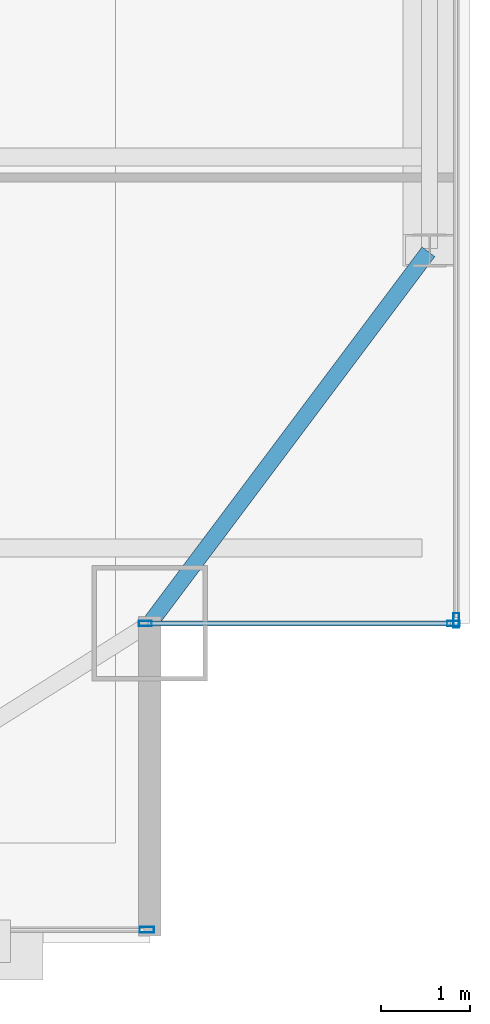
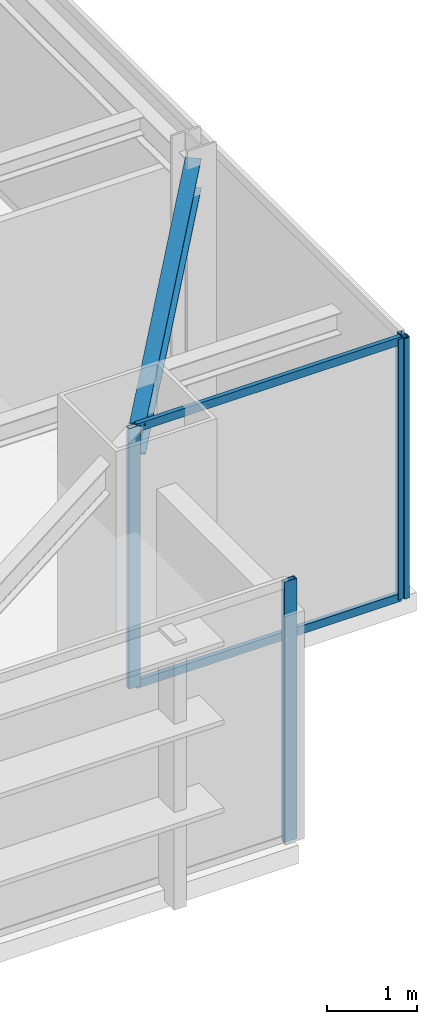
# One storey, part 15 of 30: 6 members, 1 beam, 3 elements without a shape of their own.
"""IFC4 building model written with IfcOpenShell, lengths in metres."""

import ifcopenshell
import ifcopenshell.guid

model = None  # the IFC model being written
_history = None  # IfcOwnerHistory: only IFC2X3 demands one
_inside = {}  # id of a spatial element -> (the spatial element, [elements in it])
_under = {}  # id of a project, library or spatial element -> (it, [spatial elements below it])
_declared = {}  # id of a project -> (the project, [libraries it declares])
_typed = {}  # id of a type object -> (the type object, [elements of that type])
_made_of = {}  # id of a material, layer set ... -> (it, [elements and type objects made of it])


def new_model(schema):
    """Start an empty IFC model of exactly this schema.

    Asked for "IFC4X3", IfcOpenShell would pick the latest addendum, in which some entities
    have other attributes; the version numbers below select the first issue.
    IFC2X3 requires an IfcOwnerHistory on every rooted entity: one is made here for all.
    """
    global model, _history
    if schema == "IFC4X3":
        model = ifcopenshell.file(schema_version=(4, 3, 0, 0))
    else:
        model = ifcopenshell.file(schema=schema)
    _inside.clear()
    _under.clear()
    _declared.clear()
    _typed.clear()
    _made_of.clear()
    _history = None
    if model.schema == "IFC2X3":
        org = make("IfcOrganization", Name="unknown")
        user = make(
            "IfcPersonAndOrganization",
            ThePerson=make("IfcPerson", FamilyName="unknown"),
            TheOrganization=org,
        )
        app = make(
            "IfcApplication",
            ApplicationDeveloper=org,
            Version="unknown",
            ApplicationFullName="unknown",
            ApplicationIdentifier="unknown",
        )
        _history = make(
            "IfcOwnerHistory",
            OwningUser=user,
            OwningApplication=app,
            ChangeAction="ADDED",
            CreationDate=0,
        )
    return model


def make(cls, **values):
    """One entity of the class cls with the attributes given. An attribute that is None is left unset."""
    return model.create_entity(
        cls, **{name: value for name, value in values.items() if value is not None}
    )


def rooted(cls, **values):
    """An entity with a GlobalId (a new one), such as an element, a storey or a relation."""
    return make(cls, GlobalId=ifcopenshell.guid.new(), OwnerHistory=_history, **values)


def si_unit(unit_type, name, prefix=None):
    """IfcSIUnit, for example si_unit("LENGTHUNIT", "METRE", prefix="MILLI")."""
    return make("IfcSIUnit", UnitType=unit_type, Prefix=prefix, Name=name)


def assignment(units):
    """IfcUnitAssignment: the units of a project."""
    return None if units is None else make("IfcUnitAssignment", Units=units)


def point(xyz):
    """IfcCartesianPoint."""
    return None if xyz is None else make("IfcCartesianPoint", Coordinates=xyz)


def direction(xyz):
    """IfcDirection."""
    return None if xyz is None else make("IfcDirection", DirectionRatios=xyz)


def frame(location, z_axis=None, x_axis=None):
    """IfcAxis2Placement3D, a coordinate frame: its origin and axes. An axis left out is left unset."""
    return make(
        "IfcAxis2Placement3D",
        Location=point(location),
        Axis=direction(z_axis),
        RefDirection=direction(x_axis),
    )


def frame_2d(location, x_axis=None):
    """IfcAxis2Placement2D, a coordinate frame in the plane: its origin and x axis."""
    return make(
        "IfcAxis2Placement2D", Location=point(location), RefDirection=direction(x_axis)
    )


def origin():
    """The frame at (0, 0, 0) with its axes left unset."""
    return frame((0.0, 0.0, 0.0))


def origin_2d():
    """The frame at (0, 0) in the plane with its x axis left unset."""
    return frame_2d((0.0, 0.0))


def place(relative_to, where):
    """IfcLocalPlacement: puts the frame where relative to a parent placement (None: the world)."""
    return make(
        "IfcLocalPlacement", PlacementRelTo=relative_to, RelativePlacement=where
    )


def context(
    kind, dimensions, precision=None, world=None, true_north=None, identifier=None
):
    """IfcGeometricRepresentationContext, for example the 3D "Model" context."""
    return make(
        "IfcGeometricRepresentationContext",
        ContextIdentifier=identifier,
        ContextType=kind,
        CoordinateSpaceDimension=dimensions,
        Precision=precision,
        WorldCoordinateSystem=world,
        TrueNorth=true_north,
    )


def subcontext(parent, identifier, kind, view, scale=None):
    """IfcGeometricRepresentationSubContext, for example "Body" below "Model"."""
    return make(
        "IfcGeometricRepresentationSubContext",
        ContextIdentifier=identifier,
        ContextType=kind,
        ParentContext=parent,
        TargetScale=scale,
        TargetView=view,
    )


def project(units=None, contexts=None):
    """IfcProject with its units and contexts."""
    return rooted(
        "IfcProject",
        Name="project",
        RepresentationContexts=contexts,
        UnitsInContext=assignment(units),
    )


def spatial(cls, under=None, at=None, **own):
    """A site, building, storey or space (cls), placed at a placement, below another one or the project."""
    s = rooted(cls, ObjectPlacement=at, **own)
    if under is not None:
        _under.setdefault(under.id(), (under, []))[1].append(s)
    return s


def profile(cls, at=None, kind="AREA", **sizes):
    """A parametric profile (cls). Its sizes go by their IFC names, for example OverallWidth=200.0."""
    return make(cls, ProfileType=kind, Position=at, **sizes)


def hollow_rectangle(**sizes):
    """IfcRectangleHollowProfileDef."""
    return profile("IfcRectangleHollowProfileDef", **sizes)


def i_section(**sizes):
    """IfcIShapeProfileDef."""
    return profile("IfcIShapeProfileDef", **sizes)


def extrude(swept, where, along, depth):
    """IfcExtrudedAreaSolid: the profile swept, set in the frame where, extruded along a direction by depth."""
    return make(
        "IfcExtrudedAreaSolid",
        SweptArea=swept,
        Position=where,
        ExtrudedDirection=direction(along),
        Depth=depth,
    )


def shape(context_of_items, identifier, shape_type, items):
    """IfcShapeRepresentation: the items that make up one representation, for example the "Body"."""
    return make(
        "IfcShapeRepresentation",
        ContextOfItems=context_of_items,
        RepresentationIdentifier=identifier,
        RepresentationType=shape_type,
        Items=items,
    )


def source(mapping_origin, context_of_items, identifier, shape_type, items):
    """IfcRepresentationMap: a shape defined once, which mapped items show again and again."""
    return make(
        "IfcRepresentationMap",
        MappingOrigin=mapping_origin,
        MappedRepresentation=shape(context_of_items, identifier, shape_type, items),
    )


def transform(
    local_origin,
    x_axis=None,
    y_axis=None,
    z_axis=None,
    scale=None,
    scale2=None,
    scale3=None,
    uniform=True,
):
    """IfcCartesianTransformationOperator3D, or its non-uniform kind. x_axis, y_axis, z_axis: its Axis1, 2, 3."""
    if uniform:
        return make(
            "IfcCartesianTransformationOperator3D",
            Axis1=direction(x_axis),
            Axis2=direction(y_axis),
            LocalOrigin=point(local_origin),
            Scale=scale,
            Axis3=direction(z_axis),
        )
    return make(
        "IfcCartesianTransformationOperator3DnonUniform",
        Axis1=direction(x_axis),
        Axis2=direction(y_axis),
        LocalOrigin=point(local_origin),
        Scale=scale,
        Axis3=direction(z_axis),
        Scale2=scale2,
        Scale3=scale3,
    )


def mapped(mapping_source, mapping_target):
    """IfcMappedItem: shows the shape of a source again, moved by a transform."""
    return make(
        "IfcMappedItem", MappingSource=mapping_source, MappingTarget=mapping_target
    )


def material(Name=None, Category=None):
    """IfcMaterial."""
    return make("IfcMaterial", Name=Name, Category=Category)


def layer(
    of_material, thickness, ventilated=None, Name=None, Category=None, Priority=None
):
    """IfcMaterialLayer: one layer of a wall or slab, of a material (None: an air gap)."""
    return make(
        "IfcMaterialLayer",
        Material=of_material,
        LayerThickness=thickness,
        IsVentilated=ventilated,
        Name=Name,
        Category=Category,
        Priority=Priority,
    )


def layer_set(layers, Name=None):
    """IfcMaterialLayerSet."""
    return make("IfcMaterialLayerSet", MaterialLayers=layers, LayerSetName=Name)


def material_profile(
    of_material, cross_section, Name=None, Category=None, Priority=None
):
    """IfcMaterialProfile: a cross section and its material."""
    return make(
        "IfcMaterialProfile",
        Name=Name,
        Material=of_material,
        Profile=cross_section,
        Priority=Priority,
        Category=Category,
    )


def profile_set(profiles, Name=None, composite=None):
    """IfcMaterialProfileSet."""
    return make(
        "IfcMaterialProfileSet",
        Name=Name,
        MaterialProfiles=profiles,
        CompositeProfile=composite,
    )


def made_of(thing, what):
    """Note that an element or type object is made of a material, layer set ...; save() writes the relation."""
    if what is not None:
        _made_of.setdefault(what.id(), (what, []))[1].append(thing)
    return thing


def type_object(cls, material=None, **own):
    """A type object (cls), such as IfcWallType, which elements share."""
    return made_of(rooted(cls, **own), material)


def type_shapes(of_type, sources):
    """Give a type object the sources (RepresentationMaps) that its elements show as mapped items."""
    of_type.RepresentationMaps = sources


def element(
    cls,
    number,
    at=None,
    inside=None,
    cuts=None,
    type_object=None,
    material=None,
    context=None,
    identifier="Body",
    shape_type=None,
    held_by="IfcProductDefinitionShape",
    body=None,
    shapes=None,
    **own,
):
    """One element of the class cls, such as IfcWall. Its Tag is "e" and its number.

    at: its placement. inside: the storey or other place that contains it. cuts: it is an
    opening in that element (IfcRelVoidsElement). A single representation is given by context,
    identifier, shape_type and body (its items); several are given by shapes. held_by: the class
    of the entity that holds the representations. save() writes the other relations.
    """
    e = rooted(cls, Tag="e%d" % number, ObjectPlacement=at, **own)
    if body is not None:
        shapes = [shape(context, identifier, shape_type, body)]
    if shapes is not None:
        e.Representation = make(held_by, Representations=shapes)
    if inside is not None:
        _inside.setdefault(inside.id(), (inside, []))[1].append(e)
    if cuts is not None:
        rooted(
            "IfcRelVoidsElement", RelatingBuildingElement=cuts, RelatedOpeningElement=e
        )
    if type_object is not None:
        _typed.setdefault(type_object.id(), (type_object, []))[1].append(e)
    return made_of(e, material)


def aggregate(whole, parts):
    """IfcRelAggregates: a whole, such as a stair, and the parts it consists of."""
    return rooted("IfcRelAggregates", RelatingObject=whole, RelatedObjects=parts)


def save(model, path):
    """Write the relations noted so far, then the file.

    IfcRelAggregates (storeys below a building ...), IfcRelContainedInSpatialStructure (elements
    in a storey), IfcRelDefinesByType, IfcRelAssociatesMaterial and IfcRelDeclares: one each for
    every whole, place, type object, material and project.
    """
    for whole, parts in _under.values():
        aggregate(whole, parts)
    for where, things in _inside.values():
        rooted(
            "IfcRelContainedInSpatialStructure",
            RelatedElements=things,
            RelatingStructure=where,
        )
    for kind, things in _typed.values():
        rooted("IfcRelDefinesByType", RelatedObjects=things, RelatingType=kind)
    for what, things in _made_of.values():
        rooted("IfcRelAssociatesMaterial", RelatedObjects=things, RelatingMaterial=what)
    for by, libraries in _declared.values():
        rooted("IfcRelDeclares", RelatingContext=by, RelatedDefinitions=libraries)
    model.write(path)


model = new_model("IFC4")

# Units and contexts
model_context = context("Model", 3, precision=1e-05, world=origin(), true_north=direction((0.0, 1.0)))
body_context = subcontext(model_context, "Body", "Model", "MODEL_VIEW")
ifc_project = project(units=[si_unit("LENGTHUNIT", "METRE"), si_unit("AREAUNIT", "SQUARE_METRE"), si_unit("VOLUMEUNIT", "CUBIC_METRE"), si_unit("PLANEANGLEUNIT", "RADIAN"), si_unit("MASSUNIT", "GRAM", prefix="KILO")], contexts=[model_context])

# Site, building, storey
site_placement = place(None, origin())
site = spatial("IfcSite", under=ifc_project, at=site_placement, CompositionType="ELEMENT")
building_placement = place(site_placement, origin())
building = spatial("IfcBuilding", under=site, at=building_placement, Name="Varnel Quay Broadcast Tower", CompositionType="ELEMENT")
storey_placement = place(building_placement, frame((0.0, 0.0, 149.60009765625)))
storey = spatial("IfcBuildingStorey", under=building, at=storey_placement, Name="L36", CompositionType="ELEMENT", Elevation=149.60009765625)

# Beam
ifc_material_1 = material(Name="Structural Steel CSA G40.21 350W", Category="steel")
ifc_material_profile_1 = material_profile(ifc_material_1, i_section(OverallWidth=0.180908203125, OverallDepth=0.4169921875, WebThickness=0.010986328125, FlangeThickness=0.018310546875, FilletRadius=0.011962890625, at=origin_2d()), Name="W410X85")
ifc_profile_set_1 = profile_set([ifc_material_profile_1], Name="Structural Steel CSA G40.21 350W")
beam_type = type_object("IfcBeamType", Name="Beam_W410X85", PredefinedType="SPANDREL", material=ifc_profile_set_1)
shared_shape_1 = source(origin(), body_context, "Body", "SweptSolid", [
    extrude(i_section(OverallWidth=0.180908203125, OverallDepth=0.4169921875, WebThickness=0.010986328125, FlangeThickness=0.018310546875, FilletRadius=0.011962890625, at=origin_2d()), origin(), (0.0, 0.0, 1.0), 5.2099609375),
])
type_shapes(beam_type, [shared_shape_1])
beam_placement = place(storey_placement, frame((57.412109375, 10.81591796875, 3.34130859375), z_axis=(0.6, 0.8, 0.0), x_axis=(-0.8, 0.6, 0.0)))
element("IfcBeam", 1, at=beam_placement, inside=storey, type_object=beam_type, Name="L36 East Spandrel MC-SE-TC-E1", PredefinedType="SPANDREL", context=body_context, shape_type="MappedRepresentation", body=[
    mapped(shared_shape_1, transform((0.0, 0.0, 0.0), x_axis=(1.0, 0.0, 0.0), y_axis=(0.0, 1.0, 0.0), z_axis=(0.0, 0.0, 1.0), scale=1.0)),
])

# Curtain wall, members
ifc_material_2 = material(Name="Anodised Bronze Aluminium 6063-T6", Category="aluminium")
ifc_layer_1 = layer(ifc_material_2, 0.18994140625, Name="Anodised Bronze Aluminium 6063-T6")
ifc_layer_set_1 = layer_set([ifc_layer_1], Name="Anodised Bronze Aluminium 6063-T6")
curtain_wall_type_1 = type_object("IfcCurtainWallType", Name="CW_NotchCorner", PredefinedType="NOTDEFINED", material=ifc_layer_set_1)
curtain_wall_1_placement = place(storey_placement, origin())
curtain_wall_1 = element("IfcCurtainWall", 2, at=curtain_wall_1_placement, inside=storey, type_object=curtain_wall_type_1, Name="L36 SE Notch Curtain Wall", PredefinedType="NOTDEFINED")
ifc_material_profile_2 = material_profile(ifc_material_2, hollow_rectangle(XDim=0.054931640625, YDim=0.110107421875, WallThickness=0.0029296875, at=origin_2d()), Name="ALU55X110X3")
ifc_profile_set_2 = profile_set([ifc_material_profile_2], Name="Anodised Bronze Aluminium 6063-T6")
member_type_1 = type_object("IfcMemberType", Name="Tran_CWS-04", PredefinedType="USERDEFINED", material=ifc_profile_set_2)
shared_shape_2 = source(origin(), body_context, "Body", "SweptSolid", [
    extrude(hollow_rectangle(XDim=0.054931640625, YDim=0.110107421875, WallThickness=0.0029296875, at=origin_2d()), origin(), (0.0, 0.0, 1.0), 3.41015625),
])
type_shapes(member_type_1, [shared_shape_2])
member_1_placement = place(storey_placement, frame((57.3798828125, 10.800048828125, 0.02734375), z_axis=(1.0, 0.0, 0.0), x_axis=(0.0, 1.0, 0.0)))
member_1 = element("IfcMember", 3, at=member_1_placement, type_object=member_type_1, Name="CWS-04 transom 1.1", ObjectType="TRANSOM", PredefinedType="USERDEFINED", context=body_context, shape_type="MappedRepresentation", body=[
    mapped(shared_shape_2, transform((0.0, 0.0, 0.0), x_axis=(1.0, 0.0, 0.0), y_axis=(0.0, 1.0, 0.0), z_axis=(0.0, 0.0, 1.0), scale=1.0)),
])
member_2_placement = place(storey_placement, frame((57.3798828125, 10.800048828125, 3.5224609375), z_axis=(1.0, 0.0, 0.0), x_axis=(0.0, 1.0, 0.0)))
member_2 = element("IfcMember", 4, at=member_2_placement, type_object=member_type_1, Name="CWS-04 transom 1.2", ObjectType="TRANSOM", PredefinedType="USERDEFINED", context=body_context, shape_type="MappedRepresentation", body=[
    mapped(shared_shape_2, transform((0.0, 0.0, 0.0), x_axis=(1.0, 0.0, 0.0), y_axis=(0.0, 1.0, 0.0), z_axis=(0.0, 0.0, 1.0), scale=1.0)),
])
ifc_material_profile_3 = material_profile(ifc_material_2, hollow_rectangle(XDim=0.06005859375, YDim=0.14501953125, WallThickness=0.00341796875, at=origin_2d()), Name="ALU60X145X3.5")
ifc_profile_set_3 = profile_set([ifc_material_profile_3], Name="Anodised Bronze Aluminium 6063-T6")
member_type_2 = type_object("IfcMemberType", Name="Mull_CWS-04", PredefinedType="MULLION", material=ifc_profile_set_3)
shared_shape_3 = source(origin(), body_context, "Body", "SweptSolid", [
    extrude(hollow_rectangle(XDim=0.06005859375, YDim=0.14501953125, WallThickness=0.00341796875, at=origin_2d()), origin(), (0.0, 0.0, 1.0), 3.5498046875),
])
type_shapes(member_type_2, [shared_shape_3])
member_3_placement = place(storey_placement, frame((57.35009765625, 10.800048828125, 0.0), z_axis=(0.0, 0.0, 1.0), x_axis=(0.0, 1.0, 0.0)))
member_3 = element("IfcMember", 5, at=member_3_placement, type_object=member_type_2, Name="CWS-04 mullion 1", PredefinedType="MULLION", context=body_context, shape_type="MappedRepresentation", body=[
    mapped(shared_shape_3, transform((0.0, 0.0, 0.0), x_axis=(1.0, 0.0, 0.0), y_axis=(0.0, 1.0, 0.0), z_axis=(0.0, 0.0, 1.0), scale=1.0)),
])
member_4_placement = place(storey_placement, frame((60.820068359375, 10.800048828125, 0.0), z_axis=(0.0, 0.0, 1.0), x_axis=(0.0, 1.0, 0.0)))
member_4 = element("IfcMember", 6, at=member_4_placement, type_object=member_type_2, Name="CWS-04 mullion 2", PredefinedType="MULLION", context=body_context, shape_type="MappedRepresentation", body=[
    mapped(shared_shape_3, transform((0.0, 0.0, 0.0), x_axis=(1.0, 0.0, 0.0), y_axis=(0.0, 1.0, 0.0), z_axis=(0.0, 0.0, 1.0), scale=1.0)),
])
aggregate(curtain_wall_1, [member_3, member_4, member_1, member_2])

# Curtain wall, member
ifc_layer_2 = layer(ifc_material_2, 0.18994140625, Name="Anodised Bronze Aluminium 6063-T6")
ifc_layer_set_2 = layer_set([ifc_layer_2], Name="Anodised Bronze Aluminium 6063-T6")
curtain_wall_type_2 = type_object("IfcCurtainWallType", Name="CW_UpperTower", PredefinedType="NOTDEFINED", material=ifc_layer_set_2)
curtain_wall_2_placement = place(storey_placement, origin())
curtain_wall_2 = element("IfcCurtainWall", 7, at=curtain_wall_2_placement, inside=storey, type_object=curtain_wall_type_2, Name="L36 South Unitised Curtain Wall 1", PredefinedType="NOTDEFINED")
ifc_material_profile_4 = material_profile(ifc_material_2, hollow_rectangle(XDim=0.06494140625, YDim=0.1650390625, WallThickness=0.00341796875, at=origin_2d()), Name="ALU65X165X3.5")
ifc_profile_set_4 = profile_set([ifc_material_profile_4], Name="Anodised Bronze Aluminium 6063-T6")
member_type_3 = type_object("IfcMemberType", Name="Mull_CWS-03", PredefinedType="MULLION", material=ifc_profile_set_4)
shared_shape_4 = source(origin(), body_context, "Body", "SweptSolid", [
    extrude(hollow_rectangle(XDim=0.06494140625, YDim=0.1650390625, WallThickness=0.00341796875, at=origin_2d()), origin(), (0.0, 0.0, 1.0), 3.5498046875),
])
type_shapes(member_type_3, [shared_shape_4])
member_5_placement = place(storey_placement, frame((57.367431640625, 7.35009765625, 0.0), z_axis=(0.0, 0.0, 1.0), x_axis=(0.0, 1.0, 0.0)))
member_5 = element("IfcMember", 8, at=member_5_placement, type_object=member_type_3, Name="CWS-03 mullion 5", PredefinedType="MULLION", context=body_context, shape_type="MappedRepresentation", body=[
    mapped(shared_shape_4, transform((0.0, 0.0, 0.0), x_axis=(1.0, 0.0, 0.0), y_axis=(0.0, 1.0, 0.0), z_axis=(0.0, 0.0, 1.0), scale=1.0)),
])
aggregate(curtain_wall_2, [member_5])

curtain_wall_3_placement = place(storey_placement, origin())
curtain_wall_3 = element("IfcCurtainWall", 9, at=curtain_wall_3_placement, inside=storey, type_object=curtain_wall_type_2, Name="L36 East Unitised Curtain Wall", PredefinedType="NOTDEFINED")
member_6_placement = place(storey_placement, frame((60.85009765625, 10.83251953125, 0.0), z_axis=(0.0, 0.0, 1.0), x_axis=(-1.0, 0.0, 0.0)))
member_6 = element("IfcMember", 10, at=member_6_placement, type_object=member_type_3, Name="CWS-03 mullion 1", PredefinedType="MULLION", context=body_context, shape_type="MappedRepresentation", body=[
    mapped(shared_shape_4, transform((0.0, 0.0, 0.0), x_axis=(1.0, 0.0, 0.0), y_axis=(0.0, 1.0, 0.0), z_axis=(0.0, 0.0, 1.0), scale=1.0)),
])
aggregate(curtain_wall_3, [member_6])

save(model, "model.ifc")
